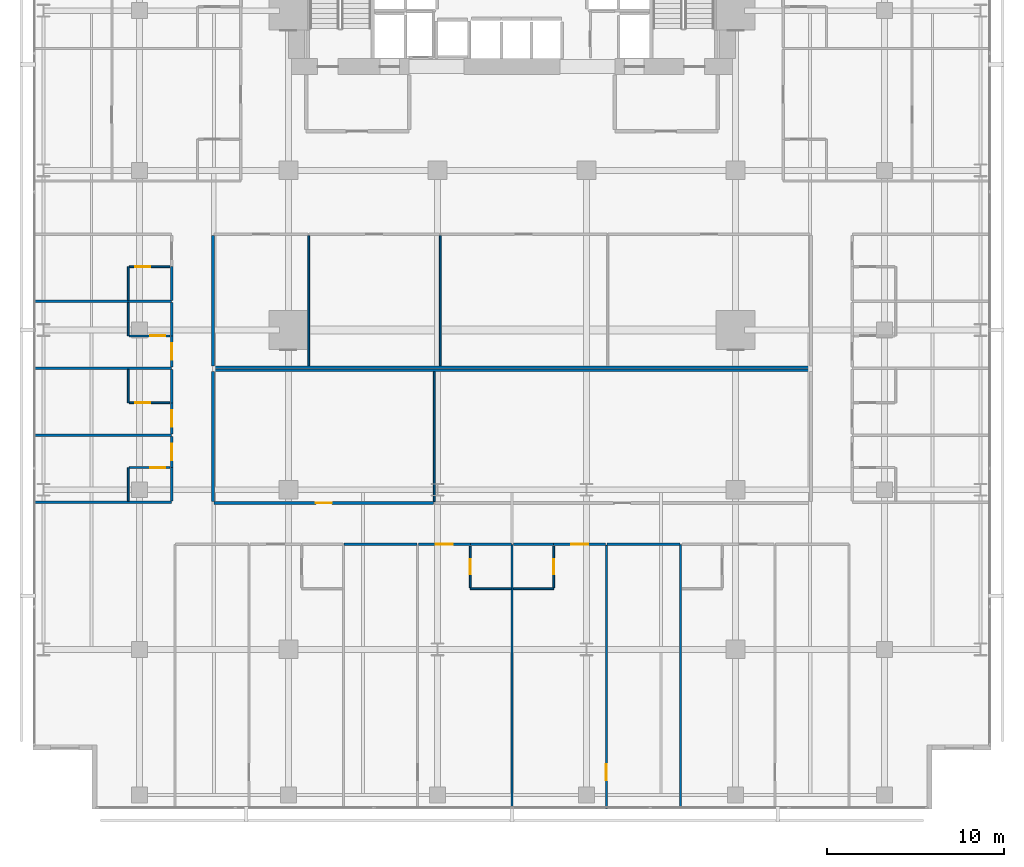
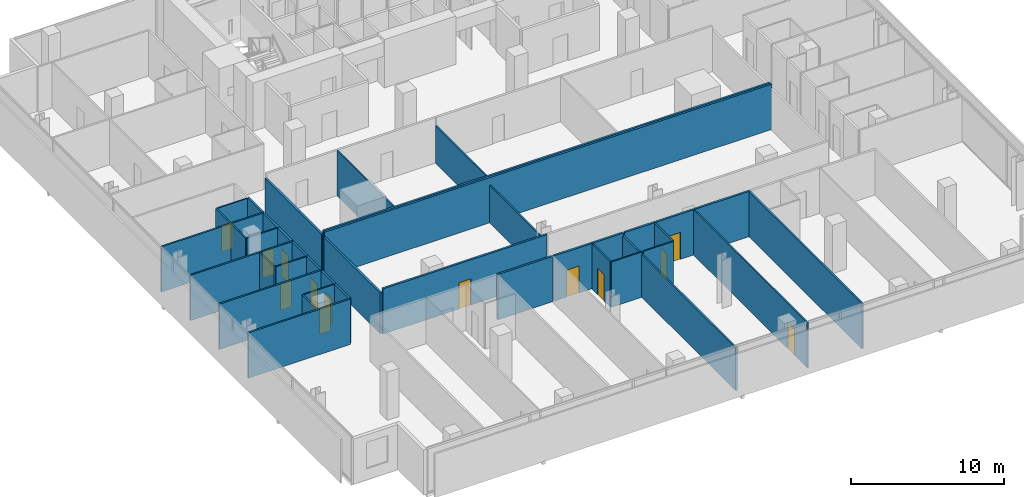
# One storey, part 33 of 40: 40 walls, 13 doors, 13 openings.
"""IFC4 building model written with IfcOpenShell, lengths in metres."""

from ifc_helpers import new_model, si_unit, direction, frame, frame_2d, origin, place, context, subcontext, project, spatial, rectangle, extrude, material, layer, layer_set, type_object, element, fill, save


model = new_model("IFC4")

# Units and contexts
model_context = context("Model", 3, precision=1e-05, world=origin(), true_north=direction((0.0, 1.0)))
body_context = subcontext(model_context, "Body", "Model", "MODEL_VIEW")
ifc_project = project(units=[si_unit("LENGTHUNIT", "METRE"), si_unit("AREAUNIT", "SQUARE_METRE"), si_unit("VOLUMEUNIT", "CUBIC_METRE"), si_unit("PLANEANGLEUNIT", "RADIAN"), si_unit("MASSUNIT", "GRAM", prefix="KILO")], contexts=[model_context])

# Site, building, storey
site_placement = place(None, origin())
site = spatial("IfcSite", under=ifc_project, at=site_placement, CompositionType="ELEMENT")
building_placement = place(site_placement, origin())
building = spatial("IfcBuilding", under=site, at=building_placement, Name="Maruvema Waterfront Hotel and Observation Tower", CompositionType="ELEMENT")
storey_placement = place(building_placement, frame((0.0, 0.0, 103.949951171875)))
storey = spatial("IfcBuildingStorey", under=building, at=storey_placement, Name="L25", CompositionType="ELEMENT", Elevation=103.949951171875)

# Walls
ifc_material_1 = material(Name="Twin-stud acoustic gypsum drywall", Category="gypsum")
ifc_layer_1 = layer(ifc_material_1, 0.14990234375, Name="Acoustic Corridor and Suite Demising Wall 150 mm")
ifc_layer_set_1 = layer_set([ifc_layer_1], Name="Twin-stud acoustic gypsum drywall")
wall_type_1 = type_object("IfcWallType", Name="Acoustic Corridor and Suite Demising Wall 150 mm", PredefinedType="PARTITIONING", material=ifc_layer_set_1)
wall_1_placement = place(storey_placement, frame((20.949951171875, 24.89990234375, 0.0), z_axis=(0.0, 0.0, 1.0), x_axis=(1.0, 0.0, 0.0)))
element("IfcWall", 1, at=wall_1_placement, inside=storey, type_object=wall_type_1, Name="L25 L25-INTN Back Wall 012", PredefinedType="PARTITIONING", context=body_context, shape_type="SweptSolid", body=[
    extrude(rectangle(XDim=33.699951171875, YDim=0.14990234375, at=frame_2d((16.85009765625, 0.0))), origin(), (0.0, 0.0, 1.0), 3.610107421875),
])
wall_2_placement = place(storey_placement, frame((20.949951171875, 24.97998046875, 0.0), z_axis=(0.0, 0.0, 1.0), x_axis=(0.0, 1.0, 0.0)))
element("IfcWall", 2, at=wall_2_placement, inside=storey, type_object=wall_type_1, Name="L25 L25-INTN West Wall 013", PredefinedType="PARTITIONING", context=body_context, shape_type="SweptSolid", body=[
    extrude(rectangle(XDim=7.340087890625, YDim=0.14990234375, at=frame_2d((3.669921875, 0.0))), origin(), (0.0, 0.0, 1.0), 3.29296875),
])
wall_3_placement = place(storey_placement, frame((20.949951171875, 24.739990234375, 0.0), z_axis=(0.0, 0.0, 1.0), x_axis=(1.0, 0.0, 0.0)))
element("IfcWall", 3, at=wall_3_placement, inside=storey, type_object=wall_type_1, Name="L25 L25-INTS Back Wall 022", PredefinedType="PARTITIONING", context=body_context, shape_type="SweptSolid", body=[
    extrude(rectangle(XDim=33.699951171875, YDim=0.14990234375, at=frame_2d((16.85009765625, 0.0))), origin(), (0.0, 0.0, 1.0), 3.610107421875),
])
wall_4_placement = place(storey_placement, frame((20.949951171875, 17.330078125, 0.0), z_axis=(0.0, 0.0, 1.0), x_axis=(0.0, 1.0, 0.0)))
element("IfcWall", 4, at=wall_4_placement, inside=storey, type_object=wall_type_1, Name="L25 L25-INTS West Wall 023", PredefinedType="PARTITIONING", context=body_context, shape_type="SweptSolid", body=[
    extrude(rectangle(XDim=7.329833984375, YDim=0.14990234375, at=frame_2d((3.6650390625, 0.0))), origin(), (0.0, 0.0, 1.0), 3.255126953125),
])

# Wall, opening, door
wall_5_placement = place(storey_placement, frame((21.010009765625, 17.25, 0.0), z_axis=(0.0, 0.0, 1.0), x_axis=(1.0, 0.0, 0.0)))
wall_5 = element("IfcWall", 5, at=wall_5_placement, inside=storey, type_object=wall_type_1, Name="L25 L25-INTS Front 1 025", PredefinedType="PARTITIONING", context=body_context, shape_type="SweptSolid", body=[
    extrude(rectangle(XDim=12.37890625, YDim=0.14990234375, at=frame_2d((6.189453125, 0.0))), origin(), (0.0, 0.0, 1.0), 3.610107421875),
])
opening_1_placement = place(wall_5_placement, frame((5.739501953125, 0.0, 0.0)))
opening_1 = element("IfcOpeningElement", 6, at=opening_1_placement, cuts=wall_5, Name="Opening DR-090", PredefinedType="OPENING", context=body_context, shape_type="SweptSolid", body=[
    extrude(rectangle(XDim=0.89990234375, YDim=2.10009765625, at=frame_2d((0.449951171875, 1.050048828125))), frame((0.0, 0.0849609375, 0.0), z_axis=(0.0, -1.0, 0.0), x_axis=(1.0, 0.0, 0.0)), (0.0, 0.0, 1.0), 0.169921875),
])
ifc_material_2 = material(Name="Solid-core lacquered timber leaf", Category="wood")
door_type_1 = type_object("IfcDoorType", Name="Accessible Toilet and Room Door 900x2100 mm", OperationType="NOTDEFINED", PredefinedType="DOOR", material=ifc_material_2)
door_1_placement = place(opening_1_placement, frame((0.89990234375, 0.0, 0.0), z_axis=(0.0, 0.0, 1.0), x_axis=(-1.0, 0.0, 0.0)))
door_1 = element("IfcDoor", 7, at=door_1_placement, inside=storey, type_object=door_type_1, Name="L25 Private Dining Salon Door", OperationType="SINGLE_SWING_RIGHT", OverallHeight=2.10009765625, OverallWidth=0.89990234375, PredefinedType="DOOR", context=body_context, shape_type="SweptSolid", body=[
    extrude(rectangle(XDim=0.89990234375, YDim=2.10009765625, at=frame_2d((0.449951171875, 1.050048828125))), frame((0.0, 0.02490234375, 0.0), z_axis=(0.0, -1.0, 0.0), x_axis=(1.0, 0.0, 0.0)), (0.0, 0.0, 1.0), 0.050048828125),
])
fill(opening_1, door_1)

# Walls
wall_6_placement = place(storey_placement, frame((35.449951171875, 14.919921875, 0.0), z_axis=(0.0, 0.0, 1.0), x_axis=(1.0, 0.0, 0.0)))
element("IfcWall", 8, at=wall_6_placement, inside=storey, type_object=wall_type_1, Name="L25 Bath L25-S2 Back Wall 037", PredefinedType="PARTITIONING", context=body_context, shape_type="SweptSolid", body=[
    extrude(rectangle(XDim=2.330078125, YDim=0.14990234375, at=frame_2d((1.1650390625, 0.0))), origin(), (0.0, 0.0, 1.0), 3.610107421875),
])
wall_7_placement = place(storey_placement, frame((28.320068359375, 14.919921875, 0.0), z_axis=(0.0, 0.0, 1.0), x_axis=(1.0, 0.0, 0.0)))
element("IfcWall", 9, at=wall_7_placement, inside=storey, type_object=wall_type_1, Name="L25 Bedroom L25-S2 Back Wall 040", PredefinedType="PARTITIONING", context=body_context, shape_type="SweptSolid", body=[
    extrude(rectangle(XDim=4.119873046875, YDim=0.14990234375, at=frame_2d((2.06005859375, 0.0))), origin(), (0.0, 0.0, 1.0), 3.610107421875),
])

# Wall, opening, door
wall_8_placement = place(storey_placement, frame((32.52001953125, 14.919921875, 0.0), z_axis=(0.0, 0.0, 1.0), x_axis=(1.0, 0.0, 0.0)))
wall_8 = element("IfcWall", 10, at=wall_8_placement, inside=storey, type_object=wall_type_1, Name="L25 Unit L25-S2 Corridor Wall 041", PredefinedType="PARTITIONING", context=body_context, shape_type="SweptSolid", body=[
    extrude(rectangle(XDim=2.929931640625, YDim=0.14990234375, at=frame_2d((1.46484375, 0.0))), origin(), (0.0, 0.0, 1.0), 3.610107421875),
])
opening_2_placement = place(wall_8_placement, frame((0.989990234375, 0.0, 0.0)))
opening_2 = element("IfcOpeningElement", 11, at=opening_2_placement, cuts=wall_8, Name="Opening DR-095", PredefinedType="OPENING", context=body_context, shape_type="SweptSolid", body=[
    extrude(rectangle(XDim=0.949951171875, YDim=2.14990234375, at=frame_2d((0.47509765625, 1.074951171875))), frame((0.0, 0.0849609375, 0.0), z_axis=(0.0, -1.0, 0.0), x_axis=(1.0, 0.0, 0.0)), (0.0, 0.0, 1.0), 0.169921875),
])
ifc_material_3 = material(Name="Acoustic solid-core hardwood timber leaf", Category="wood")
door_type_2 = type_object("IfcDoorType", Name="Guestroom Entrance Fire Door 950x2150 mm", OperationType="NOTDEFINED", PredefinedType="DOOR", material=ifc_material_3)
door_2_placement = place(opening_2_placement, frame((0.949951171875, 0.0, 0.0), z_axis=(0.0, 0.0, 1.0), x_axis=(-1.0, 0.0, 0.0)))
door_2 = element("IfcDoor", 12, at=door_2_placement, inside=storey, type_object=door_type_2, Name="L25 Unit L25-S2 Entrance Door", OperationType="SINGLE_SWING_RIGHT", OverallHeight=2.14990234375, OverallWidth=0.949951171875, PredefinedType="DOOR", context=body_context, shape_type="SweptSolid", body=[
    extrude(rectangle(XDim=0.949951171875, YDim=2.14990234375, at=frame_2d((0.47509765625, 1.074951171875))), frame((0.0, 0.02490234375, 0.0), z_axis=(0.0, -1.0, 0.0), x_axis=(1.0, 0.0, 0.0)), (0.0, 0.0, 1.0), 0.050048828125),
])
fill(opening_2, door_2)

# Wall
wall_9_placement = place(storey_placement, frame((37.8798828125, 14.919921875, 0.0), z_axis=(0.0, 0.0, 1.0), x_axis=(1.0, 0.0, 0.0)))
element("IfcWall", 13, at=wall_9_placement, inside=storey, type_object=wall_type_1, Name="L25 Bath L25-S3 Back Wall 044", PredefinedType="PARTITIONING", context=body_context, shape_type="SweptSolid", body=[
    extrude(rectangle(XDim=2.27001953125, YDim=0.14990234375, at=frame_2d((1.135009765625, 0.0))), origin(), (0.0, 0.0, 1.0), 3.610107421875),
])

# Wall, opening, door
wall_10_placement = place(storey_placement, frame((40.14990234375, 14.919921875, 0.0), z_axis=(0.0, 0.0, 1.0), x_axis=(1.0, 0.0, 0.0)))
wall_10 = element("IfcWall", 14, at=wall_10_placement, inside=storey, type_object=wall_type_1, Name="L25 Unit L25-S3 Corridor Wall 047", PredefinedType="PARTITIONING", context=body_context, shape_type="SweptSolid", body=[
    extrude(rectangle(XDim=2.93017578125, YDim=0.14990234375, at=frame_2d((1.465087890625, 0.0))), origin(), (0.0, 0.0, 1.0), 3.610107421875),
])
opening_3_placement = place(wall_10_placement, frame((0.989990234375, 0.0, 0.0)))
opening_3 = element("IfcOpeningElement", 15, at=opening_3_placement, cuts=wall_10, Name="Opening DR-095", PredefinedType="OPENING", context=body_context, shape_type="SweptSolid", body=[
    extrude(rectangle(XDim=0.949951171875, YDim=2.14990234375, at=frame_2d((0.47509765625, 1.074951171875))), frame((0.0, 0.0849609375, 0.0), z_axis=(0.0, -1.0, 0.0), x_axis=(1.0, 0.0, 0.0)), (0.0, 0.0, 1.0), 0.169921875),
])
door_3_placement = place(opening_3_placement, frame((0.949951171875, 0.0, 0.0), z_axis=(0.0, 0.0, 1.0), x_axis=(-1.0, 0.0, 0.0)))
door_3 = element("IfcDoor", 16, at=door_3_placement, inside=storey, type_object=door_type_2, Name="L25 Unit L25-S3 Entrance Door", OperationType="SINGLE_SWING_LEFT", OverallHeight=2.14990234375, OverallWidth=0.949951171875, PredefinedType="DOOR", context=body_context, shape_type="SweptSolid", body=[
    extrude(rectangle(XDim=0.949951171875, YDim=2.14990234375, at=frame_2d((0.47509765625, 1.074951171875))), frame((0.0, 0.02490234375, 0.0), z_axis=(0.0, -1.0, 0.0), x_axis=(1.0, 0.0, 0.0)), (0.0, 0.0, 1.0), 0.050048828125),
])
fill(opening_3, door_3)

# Walls
wall_11_placement = place(storey_placement, frame((43.159912109375, 14.919921875, 0.0), z_axis=(0.0, 0.0, 1.0), x_axis=(1.0, 0.0, 0.0)))
element("IfcWall", 17, at=wall_11_placement, inside=storey, type_object=wall_type_1, Name="L25 Bedroom L25-S3 Back Wall 048", PredefinedType="PARTITIONING", context=body_context, shape_type="SweptSolid", body=[
    extrude(rectangle(XDim=4.1201171875, YDim=0.14990234375, at=frame_2d((2.06005859375, 0.0))), origin(), (0.0, 0.0, 1.0), 3.610107421875),
])
wall_12_placement = place(storey_placement, frame((18.6201171875, 17.360107421875, 0.0), z_axis=(0.0, 0.0, 1.0), x_axis=(0.0, 1.0, 0.0)))
element("IfcWall", 18, at=wall_12_placement, inside=storey, type_object=wall_type_1, Name="L25 Bath L25-W1 Wall 061", PredefinedType="PARTITIONING", context=body_context, shape_type="SweptSolid", body=[
    extrude(rectangle(XDim=1.889892578125, YDim=0.14990234375, at=frame_2d((0.94482421875, 0.0))), origin(), (0.0, 0.0, 1.0), 3.610107421875),
])

# Wall, opening, door
wall_13_placement = place(storey_placement, frame((18.6201171875, 19.25, 0.0), z_axis=(0.0, 0.0, 1.0), x_axis=(0.0, 1.0, 0.0)))
wall_13 = element("IfcWall", 19, at=wall_13_placement, inside=storey, type_object=wall_type_1, Name="L25 Room L25-W1 Corridor Wall 062", PredefinedType="PARTITIONING", context=body_context, shape_type="SweptSolid", body=[
    extrude(rectangle(XDim=1.760009765625, YDim=0.14990234375, at=frame_2d((0.8798828125, 0.0))), origin(), (0.0, 0.0, 1.0), 3.610107421875),
])
opening_4_placement = place(wall_13_placement, frame((0.405029296875, 0.0, 0.0)))
opening_4 = element("IfcOpeningElement", 20, at=opening_4_placement, cuts=wall_13, Name="Opening DR-095", PredefinedType="OPENING", context=body_context, shape_type="SweptSolid", body=[
    extrude(rectangle(XDim=0.949951171875, YDim=2.14990234375, at=frame_2d((0.47509765625, 1.074951171875))), frame((0.0, 0.0849609375, 0.0), z_axis=(0.0, -1.0, 0.0), x_axis=(1.0, 0.0, 0.0)), (0.0, 0.0, 1.0), 0.169921875),
])
door_4_placement = place(opening_4_placement, origin())
door_4 = element("IfcDoor", 21, at=door_4_placement, inside=storey, type_object=door_type_2, Name="L25 Room L25-W1 Entrance Door", OperationType="SINGLE_SWING_LEFT", OverallHeight=2.14990234375, OverallWidth=0.949951171875, PredefinedType="DOOR", context=body_context, shape_type="SweptSolid", body=[
    extrude(rectangle(XDim=0.949951171875, YDim=2.14990234375, at=frame_2d((0.47509765625, 1.074951171875))), frame((0.0, 0.02490234375, 0.0), z_axis=(0.0, -1.0, 0.0), x_axis=(1.0, 0.0, 0.0)), (0.0, 0.0, 1.0), 0.050048828125),
])
fill(opening_4, door_4)

wall_14_placement = place(storey_placement, frame((18.6201171875, 21.1298828125, 0.0), z_axis=(0.0, 0.0, 1.0), x_axis=(0.0, 1.0, 0.0)))
wall_14 = element("IfcWall", 22, at=wall_14_placement, inside=storey, type_object=wall_type_1, Name="L25 Room L25-W2 Corridor Wall 071", PredefinedType="PARTITIONING", context=body_context, shape_type="SweptSolid", body=[
    extrude(rectangle(XDim=1.77001953125, YDim=0.14990234375, at=frame_2d((0.885009765625, 0.0))), origin(), (0.0, 0.0, 1.0), 3.610107421875),
])
opening_5_placement = place(wall_14_placement, frame((0.409912109375, 0.0, 0.0)))
opening_5 = element("IfcOpeningElement", 23, at=opening_5_placement, cuts=wall_14, Name="Opening DR-095", PredefinedType="OPENING", context=body_context, shape_type="SweptSolid", body=[
    extrude(rectangle(XDim=0.949951171875, YDim=2.14990234375, at=frame_2d((0.47509765625, 1.074951171875))), frame((0.0, 0.0849609375, 0.0), z_axis=(0.0, -1.0, 0.0), x_axis=(1.0, 0.0, 0.0)), (0.0, 0.0, 1.0), 0.169921875),
])
door_5_placement = place(opening_5_placement, origin())
door_5 = element("IfcDoor", 24, at=door_5_placement, inside=storey, type_object=door_type_2, Name="L25 Room L25-W2 Entrance Door", OperationType="SINGLE_SWING_LEFT", OverallHeight=2.14990234375, OverallWidth=0.949951171875, PredefinedType="DOOR", context=body_context, shape_type="SweptSolid", body=[
    extrude(rectangle(XDim=0.949951171875, YDim=2.14990234375, at=frame_2d((0.47509765625, 1.074951171875))), frame((0.0, 0.02490234375, 0.0), z_axis=(0.0, -1.0, 0.0), x_axis=(1.0, 0.0, 0.0)), (0.0, 0.0, 1.0), 0.050048828125),
])
fill(opening_5, door_5)

# Wall
wall_15_placement = place(storey_placement, frame((18.6201171875, 22.89990234375, 0.0), z_axis=(0.0, 0.0, 1.0), x_axis=(0.0, 1.0, 0.0)))
element("IfcWall", 25, at=wall_15_placement, inside=storey, type_object=wall_type_1, Name="L25 Bath L25-W2 Wall 072", PredefinedType="PARTITIONING", context=body_context, shape_type="SweptSolid", body=[
    extrude(rectangle(XDim=1.89013671875, YDim=0.14990234375, at=frame_2d((0.945068359375, 0.0))), origin(), (0.0, 0.0, 1.0), 3.610107421875),
])

# Wall, opening, door
wall_16_placement = place(storey_placement, frame((18.6201171875, 24.909912109375, 0.0), z_axis=(0.0, 0.0, 1.0), x_axis=(0.0, 1.0, 0.0)))
wall_16 = element("IfcWall", 26, at=wall_16_placement, inside=storey, type_object=wall_type_1, Name="L25 Room L25-W3 Corridor Wall 081", PredefinedType="PARTITIONING", context=body_context, shape_type="SweptSolid", body=[
    extrude(rectangle(XDim=1.760009765625, YDim=0.14990234375, at=frame_2d((0.8798828125, 0.0))), origin(), (0.0, 0.0, 1.0), 3.610107421875),
])
opening_6_placement = place(wall_16_placement, frame((0.405029296875, 0.0, 0.0)))
opening_6 = element("IfcOpeningElement", 27, at=opening_6_placement, cuts=wall_16, Name="Opening DR-095", PredefinedType="OPENING", context=body_context, shape_type="SweptSolid", body=[
    extrude(rectangle(XDim=0.949951171875, YDim=2.14990234375, at=frame_2d((0.47509765625, 1.074951171875))), frame((0.0, 0.0849609375, 0.0), z_axis=(0.0, -1.0, 0.0), x_axis=(1.0, 0.0, 0.0)), (0.0, 0.0, 1.0), 0.169921875),
])
door_6_placement = place(opening_6_placement, origin())
door_6 = element("IfcDoor", 28, at=door_6_placement, inside=storey, type_object=door_type_2, Name="L25 Room L25-W3 Entrance Door", OperationType="SINGLE_SWING_LEFT", OverallHeight=2.14990234375, OverallWidth=0.949951171875, PredefinedType="DOOR", context=body_context, shape_type="SweptSolid", body=[
    extrude(rectangle(XDim=0.949951171875, YDim=2.14990234375, at=frame_2d((0.47509765625, 1.074951171875))), frame((0.0, 0.02490234375, 0.0), z_axis=(0.0, -1.0, 0.0), x_axis=(1.0, 0.0, 0.0)), (0.0, 0.0, 1.0), 0.050048828125),
])
fill(opening_6, door_6)

# Walls
for number, where, z_axis, x_axis, name in (
    (29, (18.6201171875, 26.669921875, 0.0), (0.0, 0.0, 1.0), (0.0, 1.0, 0.0), "L25 Bath L25-W3 Wall 082"),
    (30, (18.6201171875, 28.679931640625, 0.0), (0.0, 0.0, 1.0), (0.0, 1.0, 0.0), "L25 Bath L25-W4 Wall 091"),
):
    element("IfcWall", number, at=place(storey_placement, frame(where, z_axis=z_axis, x_axis=x_axis)), inside=storey, type_object=wall_type_1, Name=name, PredefinedType="PARTITIONING", context=body_context, shape_type="SweptSolid", body=[
        extrude(rectangle(XDim=1.89013671875, YDim=0.14990234375, at=frame_2d((0.945068359375, 0.0))), origin(), (0.0, 0.0, 1.0), 3.610107421875),
    ])
ifc_material_4 = material(Name="Moisture-resistant cement-board drywall", Category="gypsum")
ifc_layer_2 = layer(ifc_material_4, 0.10009765625, Name="En-Suite Moisture-Resistant Partition 100 mm")
ifc_layer_set_2 = layer_set([ifc_layer_2], Name="Moisture-resistant cement-board drywall")
wall_type_2 = type_object("IfcWallType", Name="En-Suite Moisture-Resistant Partition 100 mm", PredefinedType="PARTITIONING", material=ifc_layer_set_2)
wall_17_placement = place(storey_placement, frame((26.342041015625, 24.97998046875, 0.0), z_axis=(0.0, 0.0, 1.0), x_axis=(0.0, 1.0, 0.0)))
element("IfcWall", 31, at=wall_17_placement, inside=storey, type_object=wall_type_2, Name="L25 L25-INTN Split 1 016", PredefinedType="PARTITIONING", context=body_context, shape_type="SweptSolid", body=[
    extrude(rectangle(XDim=7.340087890625, YDim=0.10009765625, at=frame_2d((3.669921875, 0.0))), origin(), (0.0, 0.0, 1.0), 3.610107421875),
])
wall_18_placement = place(storey_placement, frame((33.756103515625, 24.97998046875, 0.0), z_axis=(0.0, 0.0, 1.0), x_axis=(0.0, 1.0, 0.0)))
element("IfcWall", 32, at=wall_18_placement, inside=storey, type_object=wall_type_2, Name="L25 L25-INTN Split 2 018", PredefinedType="PARTITIONING", context=body_context, shape_type="SweptSolid", body=[
    extrude(rectangle(XDim=7.340087890625, YDim=0.10009765625, at=frame_2d((3.669921875, 0.0))), origin(), (0.0, 0.0, 1.0), 2.9990234375),
])
wall_19_placement = place(storey_placement, frame((33.4189453125, 17.330078125, 0.0), z_axis=(0.0, 0.0, 1.0), x_axis=(0.0, 1.0, 0.0)))
element("IfcWall", 33, at=wall_19_placement, inside=storey, type_object=wall_type_2, Name="L25 L25-INTS Split 1 026", PredefinedType="PARTITIONING", context=body_context, shape_type="SweptSolid", body=[
    extrude(rectangle(XDim=7.329833984375, YDim=0.10009765625, at=frame_2d((3.6650390625, 0.0))), origin(), (0.0, 0.0, 1.0), 2.9990234375),
])
wall_20_placement = place(storey_placement, frame((35.449951171875, 12.419921875, 0.0), z_axis=(0.0, 0.0, 1.0), x_axis=(1.0, 0.0, 0.0)))
element("IfcWall", 34, at=wall_20_placement, inside=storey, type_object=wall_type_2, Name="L25 En-Suite L25-S2 South 038", PredefinedType="PARTITIONING", context=body_context, shape_type="SweptSolid", body=[
    extrude(rectangle(XDim=2.31005859375, YDim=0.10009765625, at=frame_2d((1.155029296875, 0.0))), origin(), (0.0, 0.0, 1.0), 3.610107421875),
])

# Wall, opening, door
wall_21_placement = place(storey_placement, frame((35.449951171875, 12.47998046875, 0.0), z_axis=(0.0, 0.0, 1.0), x_axis=(0.0, 1.0, 0.0)))
wall_21 = element("IfcWall", 35, at=wall_21_placement, inside=storey, type_object=wall_type_2, Name="L25 En-Suite L25-S2 West 039", PredefinedType="PARTITIONING", context=body_context, shape_type="SweptSolid", body=[
    extrude(rectangle(XDim=2.340087890625, YDim=0.10009765625, at=frame_2d((1.169921875, 0.0))), origin(), (0.0, 0.0, 1.0), 3.610107421875),
])
opening_7_placement = place(wall_21_placement, frame((0.7451171875, 0.0, 0.0)))
opening_7 = element("IfcOpeningElement", 36, at=opening_7_placement, cuts=wall_21, Name="Opening DR-085", PredefinedType="OPENING", context=body_context, shape_type="SweptSolid", body=[
    extrude(rectangle(XDim=0.85009765625, YDim=2.10009765625, at=frame_2d((0.425048828125, 1.050048828125))), frame((0.0, 0.06005859375, 0.0), z_axis=(0.0, -1.0, 0.0), x_axis=(1.0, 0.0, 0.0)), (0.0, 0.0, 1.0), 0.1201171875),
])
ifc_material_5 = material(Name="Moisture-resistant solid timber leaf", Category="wood")
door_type_3 = type_object("IfcDoorType", Name="En-Suite Bathroom Door 850x2100 mm", OperationType="NOTDEFINED", PredefinedType="DOOR", material=ifc_material_5)
door_7_placement = place(opening_7_placement, origin())
door_7 = element("IfcDoor", 37, at=door_7_placement, inside=storey, type_object=door_type_3, Name="L25 En-Suite L25-S2 Door", OperationType="SINGLE_SWING_LEFT", OverallHeight=2.10009765625, OverallWidth=0.85009765625, PredefinedType="DOOR", context=body_context, shape_type="SweptSolid", body=[
    extrude(rectangle(XDim=0.85009765625, YDim=2.10009765625, at=frame_2d((0.425048828125, 1.050048828125))), frame((0.0, 0.02490234375, 0.0), z_axis=(0.0, -1.0, 0.0), x_axis=(1.0, 0.0, 0.0)), (0.0, 0.0, 1.0), 0.050048828125),
])
fill(opening_7, door_7)

# Wall
wall_22_placement = place(storey_placement, frame((37.8798828125, 12.419921875, 0.0), z_axis=(0.0, 0.0, 1.0), x_axis=(1.0, 0.0, 0.0)))
element("IfcWall", 38, at=wall_22_placement, inside=storey, type_object=wall_type_2, Name="L25 En-Suite L25-S3 South 045", PredefinedType="PARTITIONING", context=body_context, shape_type="SweptSolid", body=[
    extrude(rectangle(XDim=2.27001953125, YDim=0.10009765625, at=frame_2d((1.135009765625, 0.0))), origin(), (0.0, 0.0, 1.0), 3.610107421875),
])

# Wall, opening, door
wall_23_placement = place(storey_placement, frame((40.14990234375, 12.47998046875, 0.0), z_axis=(0.0, 0.0, 1.0), x_axis=(0.0, 1.0, 0.0)))
wall_23 = element("IfcWall", 39, at=wall_23_placement, inside=storey, type_object=wall_type_2, Name="L25 En-Suite L25-S3 East 046", PredefinedType="PARTITIONING", context=body_context, shape_type="SweptSolid", body=[
    extrude(rectangle(XDim=2.340087890625, YDim=0.10009765625, at=frame_2d((1.169921875, 0.0))), origin(), (0.0, 0.0, 1.0), 3.610107421875),
])
opening_8_placement = place(wall_23_placement, frame((0.7451171875, 0.0, 0.0)))
opening_8 = element("IfcOpeningElement", 40, at=opening_8_placement, cuts=wall_23, Name="Opening DR-085", PredefinedType="OPENING", context=body_context, shape_type="SweptSolid", body=[
    extrude(rectangle(XDim=0.85009765625, YDim=2.10009765625, at=frame_2d((0.425048828125, 1.050048828125))), frame((0.0, 0.06005859375, 0.0), z_axis=(0.0, -1.0, 0.0), x_axis=(1.0, 0.0, 0.0)), (0.0, 0.0, 1.0), 0.1201171875),
])
door_8_placement = place(opening_8_placement, frame((0.85009765625, 0.0, 0.0), z_axis=(0.0, 0.0, 1.0), x_axis=(-1.0, 0.0, 0.0)))
door_8 = element("IfcDoor", 41, at=door_8_placement, inside=storey, type_object=door_type_3, Name="L25 En-Suite L25-S3 Door", OperationType="SINGLE_SWING_RIGHT", OverallHeight=2.10009765625, OverallWidth=0.85009765625, PredefinedType="DOOR", context=body_context, shape_type="SweptSolid", body=[
    extrude(rectangle(XDim=0.85009765625, YDim=2.10009765625, at=frame_2d((0.425048828125, 1.050048828125))), frame((0.0, 0.02490234375, 0.0), z_axis=(0.0, -1.0, 0.0), x_axis=(1.0, 0.0, 0.0)), (0.0, 0.0, 1.0), 0.050048828125),
])
fill(opening_8, door_8)

wall_24_placement = place(storey_placement, frame((43.1201171875, 0.030029296875, 0.0), z_axis=(0.0, 0.0, 1.0), x_axis=(0.0, 1.0, 0.0)))
wall_24 = element("IfcWall", 42, at=wall_24_placement, inside=storey, type_object=wall_type_2, Name="L25 Suite L25-S3 Split 049", PredefinedType="PARTITIONING", context=body_context, shape_type="SweptSolid", body=[
    extrude(rectangle(XDim=14.830078125, YDim=0.10009765625, at=frame_2d((7.4150390625, 0.0))), origin(), (0.0, 0.0, 1.0), 3.610107421875),
])
opening_9_placement = place(wall_24_placement, frame((1.60009765625, 0.0, 0.0)))
opening_9 = element("IfcOpeningElement", 43, at=opening_9_placement, cuts=wall_24, Name="Opening DR-090", PredefinedType="OPENING", context=body_context, shape_type="SweptSolid", body=[
    extrude(rectangle(XDim=0.89990234375, YDim=2.10009765625, at=frame_2d((0.449951171875, 1.050048828125))), frame((0.0, 0.06005859375, 0.0), z_axis=(0.0, -1.0, 0.0), x_axis=(1.0, 0.0, 0.0)), (0.0, 0.0, 1.0), 0.1201171875),
])
door_9_placement = place(opening_9_placement, origin())
door_9 = element("IfcDoor", 44, at=door_9_placement, inside=storey, type_object=door_type_1, Name="L25 Suite L25-S3 Bedroom Door", OperationType="SINGLE_SWING_RIGHT", OverallHeight=2.10009765625, OverallWidth=0.89990234375, PredefinedType="DOOR", context=body_context, shape_type="SweptSolid", body=[
    extrude(rectangle(XDim=0.89990234375, YDim=2.10009765625, at=frame_2d((0.449951171875, 1.050048828125))), frame((0.0, 0.02490234375, 0.0), z_axis=(0.0, -1.0, 0.0), x_axis=(1.0, 0.0, 0.0)), (0.0, 0.0, 1.0), 0.050048828125),
])
fill(opening_9, door_9)

# Wall
wall_25_placement = place(storey_placement, frame((16.169921875, 17.360107421875, 0.0), z_axis=(0.0, 0.0, 1.0), x_axis=(0.0, 1.0, 0.0)))
element("IfcWall", 45, at=wall_25_placement, inside=storey, type_object=wall_type_2, Name="L25 En-Suite L25-W1 W 063", PredefinedType="PARTITIONING", context=body_context, shape_type="SweptSolid", body=[
    extrude(rectangle(XDim=1.889892578125, YDim=0.10009765625, at=frame_2d((0.94482421875, 0.0))), origin(), (0.0, 0.0, 1.0), 3.610107421875),
])

# Wall, opening, door
wall_26_placement = place(storey_placement, frame((16.219970703125, 19.25, 0.0), z_axis=(0.0, 0.0, 1.0), x_axis=(1.0, 0.0, 0.0)))
wall_26 = element("IfcWall", 46, at=wall_26_placement, inside=storey, type_object=wall_type_2, Name="L25 En-Suite L25-W1 N 064", PredefinedType="PARTITIONING", context=body_context, shape_type="SweptSolid", body=[
    extrude(rectangle(XDim=2.300048828125, YDim=0.10009765625, at=frame_2d((1.14990234375, 0.0))), origin(), (0.0, 0.0, 1.0), 3.610107421875),
])
opening_10_placement = place(wall_26_placement, frame((1.18994140625, 0.0, 0.0)))
opening_10 = element("IfcOpeningElement", 47, at=opening_10_placement, cuts=wall_26, Name="Opening DR-085", PredefinedType="OPENING", context=body_context, shape_type="SweptSolid", body=[
    extrude(rectangle(XDim=0.85009765625, YDim=2.10009765625, at=frame_2d((0.425048828125, 1.050048828125))), frame((0.0, 0.06005859375, 0.0), z_axis=(0.0, -1.0, 0.0), x_axis=(1.0, 0.0, 0.0)), (0.0, 0.0, 1.0), 0.1201171875),
])
door_10_placement = place(opening_10_placement, origin())
door_10 = element("IfcDoor", 48, at=door_10_placement, inside=storey, type_object=door_type_3, Name="L25 En-Suite L25-W1 Door", OperationType="SINGLE_SWING_RIGHT", OverallHeight=2.10009765625, OverallWidth=0.85009765625, PredefinedType="DOOR", context=body_context, shape_type="SweptSolid", body=[
    extrude(rectangle(XDim=0.85009765625, YDim=2.10009765625, at=frame_2d((0.425048828125, 1.050048828125))), frame((0.0, 0.02490234375, 0.0), z_axis=(0.0, -1.0, 0.0), x_axis=(1.0, 0.0, 0.0)), (0.0, 0.0, 1.0), 0.050048828125),
])
fill(opening_10, door_10)

# Wall
wall_27_placement = place(storey_placement, frame((16.169921875, 22.89990234375, 0.0), z_axis=(0.0, 0.0, 1.0), x_axis=(0.0, 1.0, 0.0)))
element("IfcWall", 49, at=wall_27_placement, inside=storey, type_object=wall_type_2, Name="L25 En-Suite L25-W2 W 073", PredefinedType="PARTITIONING", context=body_context, shape_type="SweptSolid", body=[
    extrude(rectangle(XDim=1.89013671875, YDim=0.10009765625, at=frame_2d((0.945068359375, 0.0))), origin(), (0.0, 0.0, 1.0), 3.610107421875),
])

# Wall, opening, door
wall_28_placement = place(storey_placement, frame((16.219970703125, 22.89990234375, 0.0), z_axis=(0.0, 0.0, 1.0), x_axis=(1.0, 0.0, 0.0)))
wall_28 = element("IfcWall", 50, at=wall_28_placement, inside=storey, type_object=wall_type_2, Name="L25 En-Suite L25-W2 S 074", PredefinedType="PARTITIONING", context=body_context, shape_type="SweptSolid", body=[
    extrude(rectangle(XDim=2.300048828125, YDim=0.10009765625, at=frame_2d((1.14990234375, 0.0))), origin(), (0.0, 0.0, 1.0), 3.610107421875),
])
opening_11_placement = place(wall_28_placement, frame((0.35009765625, 0.0, 0.0)))
opening_11 = element("IfcOpeningElement", 51, at=opening_11_placement, cuts=wall_28, Name="Opening DR-085", PredefinedType="OPENING", context=body_context, shape_type="SweptSolid", body=[
    extrude(rectangle(XDim=0.85009765625, YDim=2.10009765625, at=frame_2d((0.425048828125, 1.050048828125))), frame((0.0, 0.06005859375, 0.0), z_axis=(0.0, -1.0, 0.0), x_axis=(1.0, 0.0, 0.0)), (0.0, 0.0, 1.0), 0.1201171875),
])
door_11_placement = place(opening_11_placement, frame((0.85009765625, 0.0, 0.0), z_axis=(0.0, 0.0, 1.0), x_axis=(-1.0, 0.0, 0.0)))
door_11 = element("IfcDoor", 52, at=door_11_placement, inside=storey, type_object=door_type_3, Name="L25 En-Suite L25-W2 Door", OperationType="SINGLE_SWING_RIGHT", OverallHeight=2.10009765625, OverallWidth=0.85009765625, PredefinedType="DOOR", context=body_context, shape_type="SweptSolid", body=[
    extrude(rectangle(XDim=0.85009765625, YDim=2.10009765625, at=frame_2d((0.425048828125, 1.050048828125))), frame((0.0, 0.02490234375, 0.0), z_axis=(0.0, -1.0, 0.0), x_axis=(1.0, 0.0, 0.0)), (0.0, 0.0, 1.0), 0.050048828125),
])
fill(opening_11, door_11)

# Wall
wall_29_placement = place(storey_placement, frame((16.169921875, 26.669921875, 0.0), z_axis=(0.0, 0.0, 1.0), x_axis=(0.0, 1.0, 0.0)))
element("IfcWall", 53, at=wall_29_placement, inside=storey, type_object=wall_type_2, Name="L25 En-Suite L25-W3 W 083", PredefinedType="PARTITIONING", context=body_context, shape_type="SweptSolid", body=[
    extrude(rectangle(XDim=1.89013671875, YDim=0.10009765625, at=frame_2d((0.945068359375, 0.0))), origin(), (0.0, 0.0, 1.0), 3.610107421875),
])

# Wall, opening, door
wall_30_placement = place(storey_placement, frame((16.219970703125, 26.669921875, 0.0), z_axis=(0.0, 0.0, 1.0), x_axis=(1.0, 0.0, 0.0)))
wall_30 = element("IfcWall", 54, at=wall_30_placement, inside=storey, type_object=wall_type_2, Name="L25 En-Suite L25-W3 S 084", PredefinedType="PARTITIONING", context=body_context, shape_type="SweptSolid", body=[
    extrude(rectangle(XDim=2.300048828125, YDim=0.10009765625, at=frame_2d((1.14990234375, 0.0))), origin(), (0.0, 0.0, 1.0), 3.610107421875),
])
opening_12_placement = place(wall_30_placement, frame((1.18994140625, 0.0, 0.0)))
opening_12 = element("IfcOpeningElement", 55, at=opening_12_placement, cuts=wall_30, Name="Opening DR-085", PredefinedType="OPENING", context=body_context, shape_type="SweptSolid", body=[
    extrude(rectangle(XDim=0.85009765625, YDim=2.10009765625, at=frame_2d((0.425048828125, 1.050048828125))), frame((0.0, 0.06005859375, 0.0), z_axis=(0.0, -1.0, 0.0), x_axis=(1.0, 0.0, 0.0)), (0.0, 0.0, 1.0), 0.1201171875),
])
door_12_placement = place(opening_12_placement, frame((0.85009765625, 0.0, 0.0), z_axis=(0.0, 0.0, 1.0), x_axis=(-1.0, 0.0, 0.0)))
door_12 = element("IfcDoor", 56, at=door_12_placement, inside=storey, type_object=door_type_3, Name="L25 En-Suite L25-W3 Door", OperationType="SINGLE_SWING_RIGHT", OverallHeight=2.10009765625, OverallWidth=0.85009765625, PredefinedType="DOOR", context=body_context, shape_type="SweptSolid", body=[
    extrude(rectangle(XDim=0.85009765625, YDim=2.10009765625, at=frame_2d((0.425048828125, 1.050048828125))), frame((0.0, 0.02490234375, 0.0), z_axis=(0.0, -1.0, 0.0), x_axis=(1.0, 0.0, 0.0)), (0.0, 0.0, 1.0), 0.050048828125),
])
fill(opening_12, door_12)

# Wall
wall_31_placement = place(storey_placement, frame((16.169921875, 28.679931640625, 0.0), z_axis=(0.0, 0.0, 1.0), x_axis=(0.0, 1.0, 0.0)))
element("IfcWall", 57, at=wall_31_placement, inside=storey, type_object=wall_type_2, Name="L25 En-Suite L25-W4 W 093", PredefinedType="PARTITIONING", context=body_context, shape_type="SweptSolid", body=[
    extrude(rectangle(XDim=1.89013671875, YDim=0.10009765625, at=frame_2d((0.945068359375, 0.0))), origin(), (0.0, 0.0, 1.0), 3.610107421875),
])

# Wall, opening, door
wall_32_placement = place(storey_placement, frame((16.219970703125, 30.570068359375, 0.0), z_axis=(0.0, 0.0, 1.0), x_axis=(1.0, 0.0, 0.0)))
wall_32 = element("IfcWall", 58, at=wall_32_placement, inside=storey, type_object=wall_type_2, Name="L25 En-Suite L25-W4 N 094", PredefinedType="PARTITIONING", context=body_context, shape_type="SweptSolid", body=[
    extrude(rectangle(XDim=2.300048828125, YDim=0.10009765625, at=frame_2d((1.14990234375, 0.0))), origin(), (0.0, 0.0, 1.0), 3.610107421875),
])
opening_13_placement = place(wall_32_placement, frame((0.35009765625, 0.0, 0.0)))
opening_13 = element("IfcOpeningElement", 59, at=opening_13_placement, cuts=wall_32, Name="Opening DR-085", PredefinedType="OPENING", context=body_context, shape_type="SweptSolid", body=[
    extrude(rectangle(XDim=0.85009765625, YDim=2.10009765625, at=frame_2d((0.425048828125, 1.050048828125))), frame((0.0, 0.06005859375, 0.0), z_axis=(0.0, -1.0, 0.0), x_axis=(1.0, 0.0, 0.0)), (0.0, 0.0, 1.0), 0.1201171875),
])
door_13_placement = place(opening_13_placement, origin())
door_13 = element("IfcDoor", 60, at=door_13_placement, inside=storey, type_object=door_type_3, Name="L25 En-Suite L25-W4 Door", OperationType="SINGLE_SWING_RIGHT", OverallHeight=2.10009765625, OverallWidth=0.85009765625, PredefinedType="DOOR", context=body_context, shape_type="SweptSolid", body=[
    extrude(rectangle(XDim=0.85009765625, YDim=2.10009765625, at=frame_2d((0.425048828125, 1.050048828125))), frame((0.0, 0.02490234375, 0.0), z_axis=(0.0, -1.0, 0.0), x_axis=(1.0, 0.0, 0.0)), (0.0, 0.0, 1.0), 0.050048828125),
])
fill(opening_13, door_13)

# Walls
ifc_material_6 = material(Name="Acoustic gypsum plasterboard drywall", Category="gypsum")
ifc_layer_3 = layer(ifc_material_6, 0.125, Name="Guestroom Acoustic Demising Wall 125 mm")
ifc_layer_set_3 = layer_set([ifc_layer_3], Name="Acoustic gypsum plasterboard drywall")
wall_type_3 = type_object("IfcWallType", Name="Guestroom Acoustic Demising Wall 125 mm", PredefinedType="PARTITIONING", material=ifc_layer_set_3)
wall_33_placement = place(storey_placement, frame((37.800048828125, 0.10009765625, 0.0), z_axis=(0.0, 0.0, 1.0), x_axis=(0.0, 1.0, 0.0)))
element("IfcWall", 61, at=wall_33_placement, inside=storey, type_object=wall_type_3, Name="L25 S Demising 3 043", PredefinedType="PARTITIONING", context=body_context, shape_type="SweptSolid", body=[
    extrude(rectangle(XDim=14.81982421875, YDim=0.125, at=frame_2d((7.409912109375, 0.0))), origin(), (0.0, 0.0, 1.0), 3.403076171875),
])
wall_34_placement = place(storey_placement, frame((47.300048828125, 0.10009765625, 0.0), z_axis=(0.0, 0.0, 1.0), x_axis=(0.0, 1.0, 0.0)))
element("IfcWall", 62, at=wall_34_placement, inside=storey, type_object=wall_type_3, Name="L25 S Demising 4 050", PredefinedType="PARTITIONING", context=body_context, shape_type="SweptSolid", body=[
    extrude(rectangle(XDim=14.81982421875, YDim=0.125, at=frame_2d((7.409912109375, 0.0))), origin(), (0.0, 0.0, 1.0), 3.610107421875),
])
for number, where, z_axis, x_axis, name in (
    (63, (10.89990234375, 17.300048828125, 0.0), (0.0, 0.0, 1.0), (1.0, 0.0, 0.0), "L25 W Bot End 057"),
    (64, (10.89990234375, 21.070068359375, 0.0), (0.0, 0.0, 1.0), (1.0, 0.0, 0.0), "L25 W Demising 2 069"),
    (65, (10.89990234375, 24.85009765625, 0.0), (0.0, 0.0, 1.0), (1.0, 0.0, 0.0), "L25 W Demising 3 079"),
    (66, (10.89990234375, 28.6201171875, 0.0), (0.0, 0.0, 1.0), (1.0, 0.0, 0.0), "L25 W Demising 4 089"),
):
    element("IfcWall", number, at=place(storey_placement, frame(where, z_axis=z_axis, x_axis=x_axis)), inside=storey, type_object=wall_type_3, Name=name, PredefinedType="PARTITIONING", context=body_context, shape_type="SweptSolid", body=[
        extrude(rectangle(XDim=7.72021484375, YDim=0.125, at=frame_2d((3.860107421875, 0.0))), origin(), (0.0, 0.0, 1.0), 3.610107421875),
    ])

save(model, "model.ifc")
